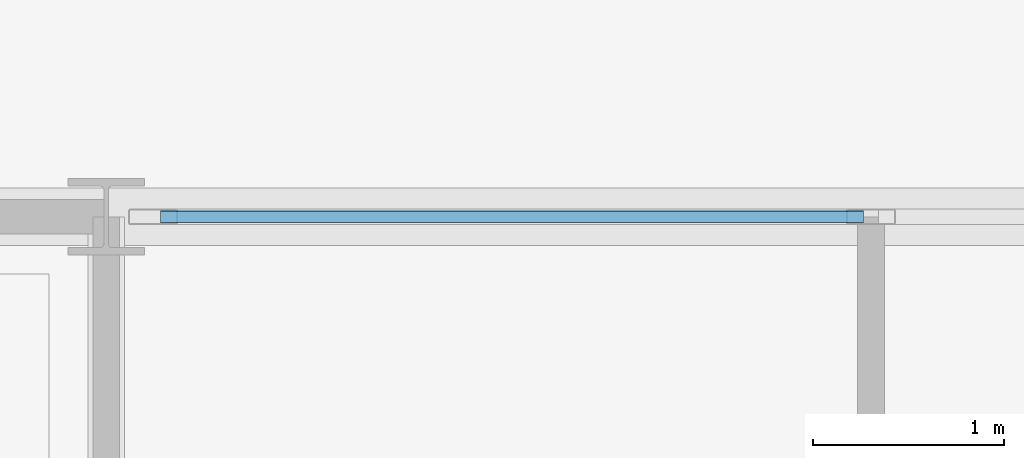
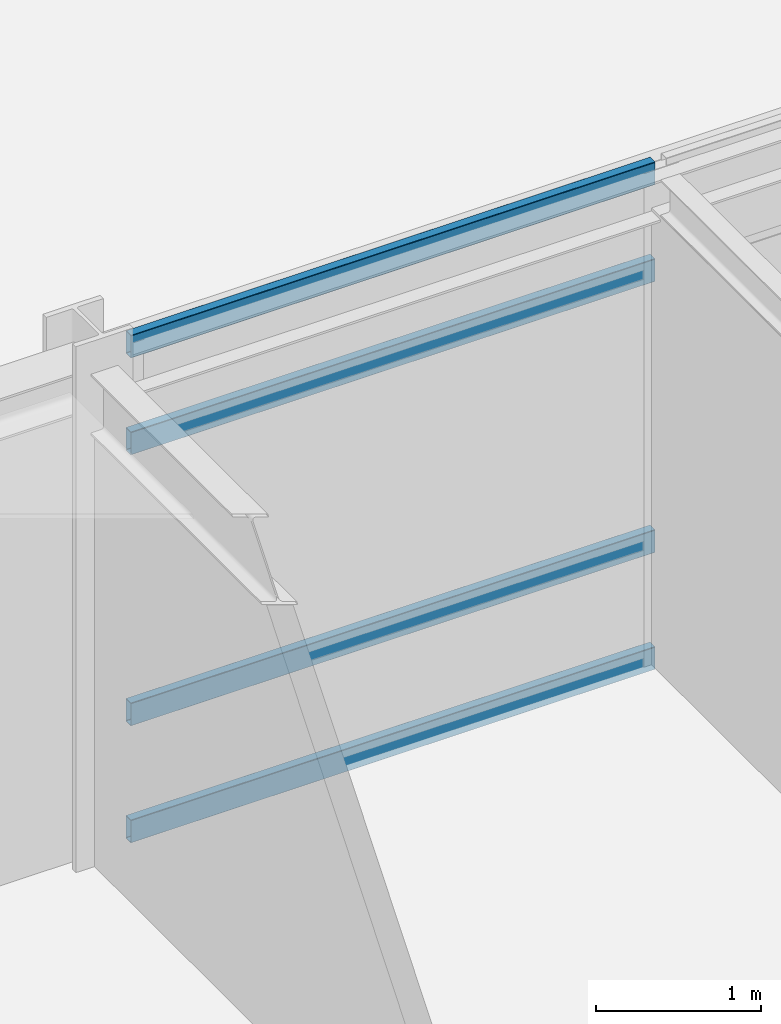
# One storey, part 7 of 46: 4 members, 1 element without a shape of its own.
"""IFC4 building model written with IfcOpenShell, lengths in metres."""

from ifc_helpers import new_model, si_unit, direction, frame, origin, origin_2d, place, context, subcontext, project, spatial, hollow_rectangle, extrude, material, layer, layer_set, material_profile, profile_set, type_object, element, aggregate, save


model = new_model("IFC4")

# Units and contexts
model_context = context("Model", 3, precision=1e-05, world=origin(), true_north=direction((0.0, 1.0)))
body_context = subcontext(model_context, "Body", "Model", "MODEL_VIEW")
ifc_project = project(units=[si_unit("LENGTHUNIT", "METRE"), si_unit("AREAUNIT", "SQUARE_METRE"), si_unit("VOLUMEUNIT", "CUBIC_METRE"), si_unit("PLANEANGLEUNIT", "RADIAN"), si_unit("MASSUNIT", "GRAM", prefix="KILO")], contexts=[model_context])

# Site, building, storey
site_placement = place(None, origin())
site = spatial("IfcSite", under=ifc_project, at=site_placement, CompositionType="ELEMENT")
building_placement = place(site_placement, origin())
building = spatial("IfcBuilding", under=site, at=building_placement, Name="Shalkamar Park Central Library", CompositionType="ELEMENT")
storey_placement = place(building_placement, frame((0.0, 0.0, 20.39990234375)))
storey = spatial("IfcBuildingStorey", under=building, at=storey_placement, Name="L05", CompositionType="ELEMENT", Elevation=20.39990234375)

# Curtain wall, members
ifc_material_1 = material(Name="Thermally broken aluminium and triple low-e curtain wall", Category="aluminium")
ifc_layer = layer(ifc_material_1, 0.2548828125)
ifc_layer_set = layer_set([ifc_layer], Name="UnitisedCurtainWall_69")
curtain_wall_type = type_object("IfcCurtainWallType", Name="Unitised Curtain Wall 69", PredefinedType="USERDEFINED", material=ifc_layer_set)
curtain_wall_placement = place(storey_placement, origin())
curtain_wall = element("IfcCurtainWall", 1, at=curtain_wall_placement, inside=storey, type_object=curtain_wall_type, Name="Unitised Curtain Wall CW-L05-084", ObjectType="UNITISED CURTAIN WALL", PredefinedType="USERDEFINED")
ifc_material_2 = material(Name="Aluminium 6060-T66", Category="aluminium")
ifc_material_profile = material_profile(ifc_material_2, hollow_rectangle(XDim=0.06494140625, YDim=0.169921875, WallThickness=0.00390625, InnerFilletRadius=0.00390625, OuterFilletRadius=0.006103515625, at=origin_2d()), Name="ALU 65x170x4")
ifc_profile_set = profile_set([ifc_material_profile], Name="Aluminium 6060-T66")
member_type = type_object("IfcMemberType", Name="Curtain Wall Transom ALU65x170", PredefinedType="USERDEFINED", material=ifc_profile_set)
member_1_placement = place(storey_placement, frame((189.284423828125, 293.199951171875, 0.03271484375), z_axis=(1.0, 0.0, 0.0), x_axis=(0.0, 1.0, 0.0)))
member_1 = element("IfcMember", 2, at=member_1_placement, type_object=member_type, Name="CW-69 transom 1.1", ObjectType="TRANSOM", PredefinedType="USERDEFINED", context=body_context, shape_type="SweptSolid", body=[
    extrude(hollow_rectangle(XDim=0.06494140625, YDim=0.169921875, WallThickness=0.00390625, InnerFilletRadius=0.00390625, OuterFilletRadius=0.006103515625, at=origin_2d()), origin(), (0.0, 0.0, 1.0), 3.675537109375),
])
member_2_placement = place(storey_placement, frame((189.284423828125, 293.199951171875, 0.900146484375), z_axis=(1.0, 0.0, 0.0), x_axis=(0.0, 1.0, 0.0)))
member_2 = element("IfcMember", 3, at=member_2_placement, type_object=member_type, Name="CW-69 transom 1.2", ObjectType="TRANSOM", PredefinedType="USERDEFINED", context=body_context, shape_type="SweptSolid", body=[
    extrude(hollow_rectangle(XDim=0.06494140625, YDim=0.169921875, WallThickness=0.00390625, InnerFilletRadius=0.00390625, OuterFilletRadius=0.006103515625, at=origin_2d()), origin(), (0.0, 0.0, 1.0), 3.675537109375),
])
member_3_placement = place(storey_placement, frame((189.284423828125, 293.199951171875, 2.91015625), z_axis=(1.0, 0.0, 0.0), x_axis=(0.0, 1.0, 0.0)))
member_3 = element("IfcMember", 4, at=member_3_placement, type_object=member_type, Name="CW-69 transom 1.3", ObjectType="TRANSOM", PredefinedType="USERDEFINED", context=body_context, shape_type="SweptSolid", body=[
    extrude(hollow_rectangle(XDim=0.06494140625, YDim=0.169921875, WallThickness=0.00390625, InnerFilletRadius=0.00390625, OuterFilletRadius=0.006103515625, at=origin_2d()), origin(), (0.0, 0.0, 1.0), 3.675537109375),
])
member_4_placement = place(storey_placement, frame((189.284423828125, 293.199951171875, 3.627685546875), z_axis=(1.0, 0.0, 0.0), x_axis=(0.0, 1.0, 0.0)))
member_4 = element("IfcMember", 5, at=member_4_placement, type_object=member_type, Name="CW-69 transom 1.4", ObjectType="TRANSOM", PredefinedType="USERDEFINED", context=body_context, shape_type="SweptSolid", body=[
    extrude(hollow_rectangle(XDim=0.06494140625, YDim=0.169921875, WallThickness=0.00390625, InnerFilletRadius=0.00390625, OuterFilletRadius=0.006103515625, at=origin_2d()), origin(), (0.0, 0.0, 1.0), 3.675537109375),
])
aggregate(curtain_wall, [member_1, member_2, member_3, member_4])

save(model, "model.ifc")
